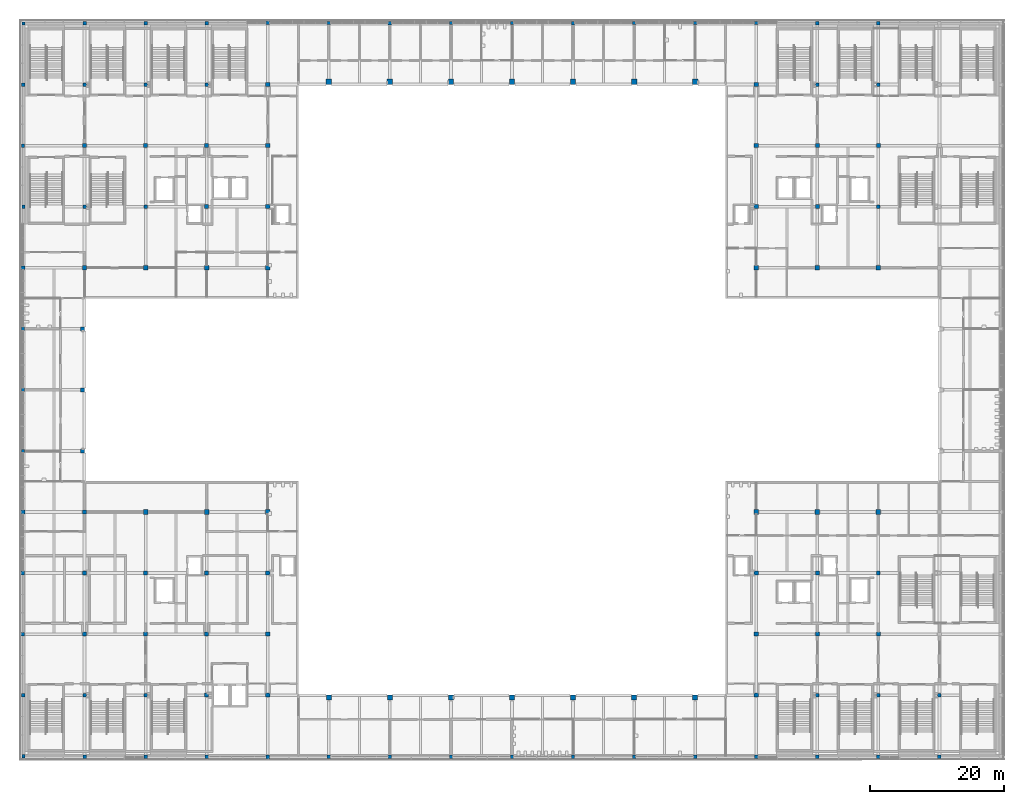
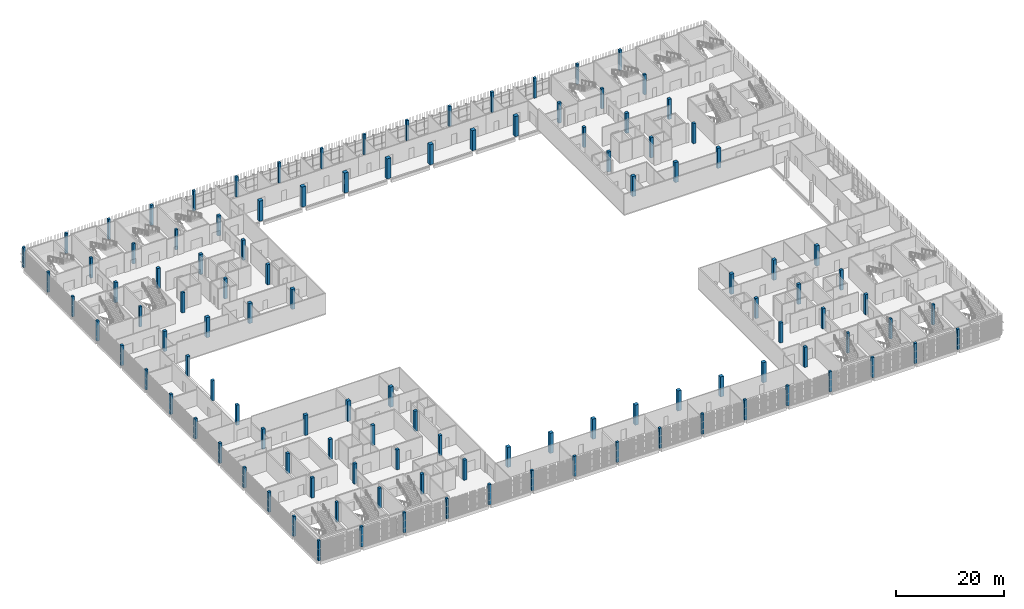
# One storey, part 1 of 124: 116 columns.
"""IFC4 building model written with IfcOpenShell, lengths in metres."""

from ifc_helpers import new_model, si_unit, direction, frame, origin, origin_2d, place, context, subcontext, project, spatial, rectangle, extrude, material, material_profile, profile_set, type_object, element, save


model = new_model("IFC4")

# Units and contexts
model_context = context("Model", 3, precision=1e-05, world=origin(), true_north=direction((0.0, 1.0)))
body_context = subcontext(model_context, "Body", "Model", "MODEL_VIEW")
ifc_project = project(units=[si_unit("LENGTHUNIT", "METRE"), si_unit("AREAUNIT", "SQUARE_METRE"), si_unit("VOLUMEUNIT", "CUBIC_METRE"), si_unit("PLANEANGLEUNIT", "RADIAN"), si_unit("MASSUNIT", "GRAM", prefix="KILO")], contexts=[model_context])

# Site, building, storey
site_placement = place(None, origin())
site = spatial("IfcSite", under=ifc_project, at=site_placement, CompositionType="ELEMENT")
building_placement = place(site_placement, origin())
building = spatial("IfcBuilding", under=site, at=building_placement, Name="Shirokan Park Arena", CompositionType="ELEMENT")
storey_placement = place(building_placement, frame((0.0, 0.0, 20.02001953125)))
storey = spatial("IfcBuildingStorey", under=building, at=storey_placement, Name="L04", CompositionType="ELEMENT", Elevation=20.02001953125)

# Columns
ifc_material = material(Name="Concrete C35", Category="concrete")
ifc_material_profile_1 = material_profile(ifc_material, rectangle(XDim=0.5, YDim=0.5, at=origin_2d()), Name="500x500")
ifc_profile_set_1 = profile_set([ifc_material_profile_1], Name="Concrete C35")
column_type_1 = type_object("IfcColumnType", Name="RC column 500x500", PredefinedType="COLUMN", material=ifc_profile_set_1)
for number, where, z_axis, x_axis, name in (
    (1, (0.0, 0.0, 0.0), (0.0, 0.0, 1.0), (1.0, 0.0, 0.0), "Column 1A L04"),
    (2, (-0.050048828125, 9.10009765625, 0.0), (0.0, 0.0, 1.0), (1.0, 0.0, 0.0), "Column 1B L04"),
    (3, (-0.074951171875, 45.5, 0.0), (0.0, 0.0, 1.0), (1.0, 0.0, 0.0), "Column 1F L04"),
    (4, (-0.074951171875, 54.60009765625, 0.0), (0.0, 0.0, 1.0), (1.0, 0.0, 0.0), "Column 1G L04"),
    (5, (-0.074951171875, 63.699951171875, 0.0), (0.0, 0.0, 1.0), (1.0, 0.0, 0.0), "Column 1H L04"),
    (6, (0.0, 81.89990234375, 0.0), (0.0, 0.0, 1.0), (1.0, 0.0, 0.0), "Column 1K L04"),
    (7, (-0.074951171875, 91.0, 0.0), (0.0, 0.0, 1.0), (1.0, 0.0, 0.0), "Column 1L L04"),
    (8, (-0.02490234375, 100.10009765625, 0.0), (0.0, 0.0, 1.0), (1.0, 0.0, 0.0), "Column 1M L04"),
    (9, (0.0, 109.199951171875, 0.0), (0.0, 0.0, 1.0), (1.0, 0.0, 0.0), "Column 1N L04"),
    (10, (9.10009765625, -0.050048828125, 0.0), (0.0, 0.0, 1.0), (1.0, 0.0, 0.0), "Column 2A L04"),
    (11, (9.10009765625, 9.10009765625, 0.0), (0.0, 0.0, 1.0), (1.0, 0.0, 0.0), "Column 2B L04"),
    (12, (9.10009765625, 81.89990234375, 0.0), (0.0, 0.0, 1.0), (1.0, 0.0, 0.0), "Column 2K L04"),
    (13, (9.10009765625, 100.10009765625, 0.0), (0.0, 0.0, 1.0), (1.0, 0.0, 0.0), "Column 2M L04"),
    (14, (9.10009765625, 109.22509765625, 0.0), (0.0, 0.0, 1.0), (1.0, 0.0, 0.0), "Column 2N L04"),
    (15, (18.199951171875, -0.050048828125, 0.0), (0.0, 0.0, 1.0), (1.0, 0.0, 0.0), "Column 3A L04"),
    (16, (18.199951171875, 9.10009765625, 0.0), (0.0, 0.0, 1.0), (1.0, 0.0, 0.0), "Column 3B L04"),
    (17, (18.199951171875, 100.10009765625, 0.0), (0.0, 0.0, 1.0), (1.0, 0.0, 0.0), "Column 3M L04"),
    (18, (18.199951171875, 109.22509765625, 0.0), (0.0, 0.0, 1.0), (1.0, 0.0, 0.0), "Column 3N L04"),
    (19, (27.300048828125, -0.10009765625, 0.0), (0.0, 0.0, 1.0), (1.0, 0.0, 0.0), "Column 4A L04"),
    (20, (27.300048828125, 100.10009765625, 0.0), (0.0, 0.0, 1.0), (1.0, 0.0, 0.0), "Column 4M L04"),
    (21, (27.300048828125, 109.22509765625, 0.0), (0.0, 0.0, 1.0), (1.0, 0.0, 0.0), "Column 4N L04"),
    (22, (36.39990234375, 109.300048828125, 0.0), (0.0, 0.0, 1.0), (1.0, 0.0, 0.0), "Column 5N L04"),
    (23, (45.5, -0.10009765625, 0.0), (0.0, 0.0, 1.0), (1.0, 0.0, 0.0), "Column 6A L04"),
    (24, (45.5, 109.27490234375, 0.0), (0.0, 0.0, 1.0), (1.0, 0.0, 0.0), "Column 6N L04"),
    (25, (54.60009765625, -0.074951171875, 0.0), (0.0, 0.0, 1.0), (1.0, 0.0, 0.0), "Column 7A L04"),
    (26, (54.60009765625, 109.25, 0.0), (0.0, 0.0, 1.0), (1.0, 0.0, 0.0), "Column 7N L04"),
    (27, (63.699951171875, -0.10009765625, 0.0), (0.0, 0.0, 1.0), (1.0, 0.0, 0.0), "Column 8A L04"),
    (28, (63.699951171875, 109.27490234375, 0.0), (0.0, 0.0, 1.0), (1.0, 0.0, 0.0), "Column 8N L04"),
    (29, (72.800048828125, -0.10009765625, 0.0), (0.0, 0.0, 1.0), (1.0, 0.0, 0.0), "Column 9A L04"),
    (30, (72.800048828125, 109.27490234375, 0.0), (0.0, 0.0, 1.0), (1.0, 0.0, 0.0), "Column 9N L04"),
    (31, (81.89990234375, -0.074951171875, 0.0), (0.0, 0.0, 1.0), (1.0, 0.0, 0.0), "Column 10A L04"),
    (32, (81.89990234375, 109.25, 0.0), (0.0, 0.0, 1.0), (1.0, 0.0, 0.0), "Column 10N L04"),
    (33, (91.0, -0.10009765625, 0.0), (0.0, 0.0, 1.0), (1.0, 0.0, 0.0), "Column 11A L04"),
    (34, (91.0, 109.27490234375, 0.0), (0.0, 0.0, 1.0), (1.0, 0.0, 0.0), "Column 11N L04"),
    (35, (100.10009765625, -0.10009765625, 0.0), (0.0, 0.0, 1.0), (1.0, 0.0, 0.0), "Column 12A L04"),
    (36, (100.10009765625, 109.27490234375, 0.0), (0.0, 0.0, 1.0), (1.0, 0.0, 0.0), "Column 12N L04"),
    (37, (109.199951171875, -0.10009765625, 0.0), (0.0, 0.0, 1.0), (1.0, 0.0, 0.0), "Column 13A L04"),
    (38, (109.199951171875, 109.27490234375, 0.0), (0.0, 0.0, 1.0), (1.0, 0.0, 0.0), "Column 13N L04"),
    (39, (118.300048828125, -0.050048828125, 0.0), (0.0, 0.0, 1.0), (1.0, 0.0, 0.0), "Column 14A L04"),
    (40, (118.300048828125, 9.10009765625, 0.0), (0.0, 0.0, 1.0), (1.0, 0.0, 0.0), "Column 14B L04"),
    (41, (118.300048828125, 100.10009765625, 0.0), (0.0, 0.0, 1.0), (1.0, 0.0, 0.0), "Column 14M L04"),
    (42, (118.300048828125, 109.22509765625, 0.0), (0.0, 0.0, 1.0), (1.0, 0.0, 0.0), "Column 14N L04"),
    (43, (127.39990234375, -0.050048828125, 0.0), (0.0, 0.0, 1.0), (1.0, 0.0, 0.0), "Column 15A L04"),
    (44, (127.39990234375, 9.10009765625, 0.0), (0.0, 0.0, 1.0), (1.0, 0.0, 0.0), "Column 15B L04"),
    (45, (127.39990234375, 100.10009765625, 0.0), (0.0, 0.0, 1.0), (1.0, 0.0, 0.0), "Column 15M L04"),
    (46, (127.39990234375, 109.22509765625, 0.0), (0.0, 0.0, 1.0), (1.0, 0.0, 0.0), "Column 15N L04"),
    (47, (136.5, -0.050048828125, 0.0), (0.0, 0.0, 1.0), (1.0, 0.0, 0.0), "Column 16A L04"),
    (48, (136.5, 9.10009765625, 0.0), (0.0, 0.0, 1.0), (1.0, 0.0, 0.0), "Column 16B L04"),
):
    element("IfcColumn", number, at=place(storey_placement, frame(where, z_axis=z_axis, x_axis=x_axis)), inside=storey, type_object=column_type_1, Name=name, PredefinedType="COLUMN", context=body_context, shape_type="SweptSolid", body=[
        extrude(rectangle(XDim=0.5, YDim=0.5, at=origin_2d()), origin(), (0.0, 0.0, 1.0), 4.550048828125),
    ])
ifc_material_profile_2 = material_profile(ifc_material, rectangle(XDim=0.550048828125, YDim=0.550048828125, at=origin_2d()), Name="550x550")
ifc_profile_set_2 = profile_set([ifc_material_profile_2], Name="Concrete C35")
column_type_2 = type_object("IfcColumnType", Name="RC column 550x550", PredefinedType="COLUMN", material=ifc_profile_set_2)
for number, where, z_axis, x_axis, name in (
    (49, (-0.10009765625, 18.199951171875, 0.0), (0.0, 0.0, 1.0), (1.0, 0.0, 0.0), "Column 1C L04"),
    (50, (-0.10009765625, 27.300048828125, 0.0), (0.0, 0.0, 1.0), (1.0, 0.0, 0.0), "Column 1D L04"),
    (51, (-0.074951171875, 36.39990234375, 0.0), (0.0, 0.0, 1.0), (1.0, 0.0, 0.0), "Column 1E L04"),
    (52, (-0.074951171875, 72.800048828125, 0.0), (0.0, 0.0, 1.0), (1.0, 0.0, 0.0), "Column 1J L04"),
    (53, (18.199951171875, 81.89990234375, 0.0), (0.0, 0.0, 1.0), (1.0, 0.0, 0.0), "Column 3K L04"),
    (54, (36.39990234375, -0.10009765625, 0.0), (0.0, 0.0, 1.0), (1.0, 0.0, 0.0), "Column 5A L04"),
    (55, (127.39990234375, 27.300048828125, 0.0), (0.0, 0.0, 1.0), (1.0, 0.0, 0.0), "Column 15D L04"),
    (56, (127.39990234375, 81.89990234375, 0.0), (0.0, 0.0, 1.0), (1.0, 0.0, 0.0), "Column 15K L04"),
):
    element("IfcColumn", number, at=place(storey_placement, frame(where, z_axis=z_axis, x_axis=x_axis)), inside=storey, type_object=column_type_2, Name=name, PredefinedType="COLUMN", context=body_context, shape_type="SweptSolid", body=[
        extrude(rectangle(XDim=0.550048828125, YDim=0.550048828125, at=origin_2d()), origin(), (0.0, 0.0, 1.0), 4.550048828125),
    ])
ifc_material_profile_3 = material_profile(ifc_material, rectangle(XDim=0.60009765625, YDim=0.60009765625, at=origin_2d()), Name="600x600")
ifc_profile_set_3 = profile_set([ifc_material_profile_3], Name="Concrete C35")
column_type_3 = type_object("IfcColumnType", Name="RC column 600x600", PredefinedType="COLUMN", material=ifc_profile_set_3)
for number, where, z_axis, x_axis, name in (
    (57, (9.10009765625, 18.199951171875, 0.0), (0.0, 0.0, 1.0), (1.0, 0.0, 0.0), "Column 2C L04"),
    (58, (9.10009765625, 27.300048828125, 0.0), (0.0, 0.0, 1.0), (1.0, 0.0, 0.0), "Column 2D L04"),
    (59, (9.10009765625, 36.39990234375, 0.0), (0.0, 0.0, 1.0), (1.0, 0.0, 0.0), "Column 2E L04"),
    (60, (8.800048828125, 45.5, 0.0), (0.0, 0.0, 1.0), (1.0, 0.0, 0.0), "Column 2F L04"),
    (61, (8.800048828125, 54.60009765625, 0.0), (0.0, 0.0, 1.0), (1.0, 0.0, 0.0), "Column 2G L04"),
    (62, (8.800048828125, 63.699951171875, 0.0), (0.0, 0.0, 1.0), (1.0, 0.0, 0.0), "Column 2H L04"),
    (63, (9.10009765625, 72.800048828125, 0.0), (0.0, 0.0, 1.0), (1.0, 0.0, 0.0), "Column 2J L04"),
    (64, (9.10009765625, 91.0, 0.0), (0.0, 0.0, 1.0), (1.0, 0.0, 0.0), "Column 2L L04"),
    (65, (18.199951171875, 18.199951171875, 0.0), (0.0, 0.0, 1.0), (1.0, 0.0, 0.0), "Column 3C L04"),
    (66, (18.199951171875, 27.300048828125, 0.0), (0.0, 0.0, 1.0), (1.0, 0.0, 0.0), "Column 3D L04"),
    (67, (18.199951171875, 91.0, 0.0), (0.0, 0.0, 1.0), (1.0, 0.0, 0.0), "Column 3L L04"),
    (68, (27.300048828125, 9.10009765625, 0.0), (0.0, 0.0, 1.0), (1.0, 0.0, 0.0), "Column 4B L04"),
    (69, (27.300048828125, 18.199951171875, 0.0), (0.0, 0.0, 1.0), (1.0, 0.0, 0.0), "Column 4C L04"),
    (70, (27.300048828125, 27.300048828125, 0.0), (0.0, 0.0, 1.0), (1.0, 0.0, 0.0), "Column 4D L04"),
    (71, (27.300048828125, 81.89990234375, 0.0), (0.0, 0.0, 1.0), (1.0, 0.0, 0.0), "Column 4K L04"),
    (72, (27.300048828125, 91.0, 0.0), (0.0, 0.0, 1.0), (1.0, 0.0, 0.0), "Column 4L L04"),
    (73, (36.39990234375, 9.10009765625, 0.0), (0.0, 0.0, 1.0), (1.0, 0.0, 0.0), "Column 5B L04"),
    (74, (36.39990234375, 18.199951171875, 0.0), (0.0, 0.0, 1.0), (1.0, 0.0, 0.0), "Column 5C L04"),
    (75, (36.39990234375, 27.300048828125, 0.0), (0.0, 0.0, 1.0), (1.0, 0.0, 0.0), "Column 5D L04"),
    (76, (36.39990234375, 81.89990234375, 0.0), (0.0, 0.0, 1.0), (1.0, 0.0, 0.0), "Column 5K L04"),
    (77, (36.39990234375, 91.0, 0.0), (0.0, 0.0, 1.0), (1.0, 0.0, 0.0), "Column 5L L04"),
    (78, (36.39990234375, 100.10009765625, 0.0), (0.0, 0.0, 1.0), (1.0, 0.0, 0.0), "Column 5M L04"),
    (79, (109.199951171875, 9.10009765625, 0.0), (0.0, 0.0, 1.0), (1.0, 0.0, 0.0), "Column 13B L04"),
    (80, (109.199951171875, 18.199951171875, 0.0), (0.0, 0.0, 1.0), (1.0, 0.0, 0.0), "Column 13C L04"),
    (81, (109.199951171875, 27.300048828125, 0.0), (0.0, 0.0, 1.0), (1.0, 0.0, 0.0), "Column 13D L04"),
    (82, (109.199951171875, 81.89990234375, 0.0), (0.0, 0.0, 1.0), (1.0, 0.0, 0.0), "Column 13K L04"),
    (83, (109.199951171875, 91.0, 0.0), (0.0, 0.0, 1.0), (1.0, 0.0, 0.0), "Column 13L L04"),
    (84, (109.199951171875, 100.10009765625, 0.0), (0.0, 0.0, 1.0), (1.0, 0.0, 0.0), "Column 13M L04"),
    (85, (118.300048828125, 18.199951171875, 0.0), (0.0, 0.0, 1.0), (1.0, 0.0, 0.0), "Column 14C L04"),
    (86, (118.300048828125, 27.300048828125, 0.0), (0.0, 0.0, 1.0), (1.0, 0.0, 0.0), "Column 14D L04"),
    (87, (118.300048828125, 81.89990234375, 0.0), (0.0, 0.0, 1.0), (1.0, 0.0, 0.0), "Column 14K L04"),
    (88, (118.300048828125, 91.0, 0.0), (0.0, 0.0, 1.0), (1.0, 0.0, 0.0), "Column 14L L04"),
    (89, (127.39990234375, 18.199951171875, 0.0), (0.0, 0.0, 1.0), (1.0, 0.0, 0.0), "Column 15C L04"),
    (90, (127.39990234375, 91.0, 0.0), (0.0, 0.0, 1.0), (1.0, 0.0, 0.0), "Column 15L L04"),
):
    element("IfcColumn", number, at=place(storey_placement, frame(where, z_axis=z_axis, x_axis=x_axis)), inside=storey, type_object=column_type_3, Name=name, PredefinedType="COLUMN", context=body_context, shape_type="SweptSolid", body=[
        extrude(rectangle(XDim=0.60009765625, YDim=0.60009765625, at=origin_2d()), origin(), (0.0, 0.0, 1.0), 4.550048828125),
    ])
ifc_material_profile_4 = material_profile(ifc_material, rectangle(XDim=0.699951171875, YDim=0.699951171875, at=origin_2d()), Name="700x700")
ifc_profile_set_4 = profile_set([ifc_material_profile_4], Name="Concrete C35")
column_type_4 = type_object("IfcColumnType", Name="RC column 700x700", PredefinedType="COLUMN", material=ifc_profile_set_4)
for number, where, z_axis, x_axis, name in (
    (91, (18.199951171875, 36.39990234375, 0.0), (0.0, 0.0, 1.0), (1.0, 0.0, 0.0), "Column 3E L04"),
    (92, (18.199951171875, 72.800048828125, 0.0), (0.0, 0.0, 1.0), (1.0, 0.0, 0.0), "Column 3J L04"),
    (93, (27.300048828125, 36.39990234375, 0.0), (0.0, 0.0, 1.0), (1.0, 0.0, 0.0), "Column 4E L04"),
    (94, (27.300048828125, 72.800048828125, 0.0), (0.0, 0.0, 1.0), (1.0, 0.0, 0.0), "Column 4J L04"),
    (95, (36.39990234375, 36.39990234375, 0.0), (0.0, 0.0, 1.0), (1.0, 0.0, 0.0), "Column 5E L04"),
    (96, (36.39990234375, 72.800048828125, 0.0), (0.0, 0.0, 1.0), (1.0, 0.0, 0.0), "Column 5J L04"),
    (97, (109.199951171875, 36.39990234375, 0.0), (0.0, 0.0, 1.0), (1.0, 0.0, 0.0), "Column 13E L04"),
    (98, (109.199951171875, 72.800048828125, 0.0), (0.0, 0.0, 1.0), (1.0, 0.0, 0.0), "Column 13J L04"),
    (99, (118.300048828125, 36.39990234375, 0.0), (0.0, 0.0, 1.0), (1.0, 0.0, 0.0), "Column 14E L04"),
    (100, (118.300048828125, 72.800048828125, 0.0), (0.0, 0.0, 1.0), (1.0, 0.0, 0.0), "Column 14J L04"),
    (101, (127.39990234375, 36.39990234375, 0.0), (0.0, 0.0, 1.0), (1.0, 0.0, 0.0), "Column 15E L04"),
    (102, (127.39990234375, 72.800048828125, 0.0), (0.0, 0.0, 1.0), (1.0, 0.0, 0.0), "Column 15J L04"),
):
    element("IfcColumn", number, at=place(storey_placement, frame(where, z_axis=z_axis, x_axis=x_axis)), inside=storey, type_object=column_type_4, Name=name, PredefinedType="COLUMN", context=body_context, shape_type="SweptSolid", body=[
        extrude(rectangle(XDim=0.699951171875, YDim=0.699951171875, at=origin_2d()), origin(), (0.0, 0.0, 1.0), 4.550048828125),
    ])
ifc_material_profile_5 = material_profile(ifc_material, rectangle(XDim=0.75, YDim=0.75, at=origin_2d()), Name="750x750")
ifc_profile_set_5 = profile_set([ifc_material_profile_5], Name="Concrete C35")
column_type_5 = type_object("IfcColumnType", Name="RC column 750x750", PredefinedType="COLUMN", material=ifc_profile_set_5)
for number, where, z_axis, x_axis, name in (
    (103, (45.5, 8.72509765625, 0.0), (0.0, 0.0, 1.0), (1.0, 0.0, 0.0), "Column 6B L04"),
    (104, (54.60009765625, 8.72509765625, 0.0), (0.0, 0.0, 1.0), (1.0, 0.0, 0.0), "Column 7B L04"),
    (105, (63.699951171875, 8.72509765625, 0.0), (0.0, 0.0, 1.0), (1.0, 0.0, 0.0), "Column 8B L04"),
    (106, (72.800048828125, 8.72509765625, 0.0), (0.0, 0.0, 1.0), (1.0, 0.0, 0.0), "Column 9B L04"),
    (107, (81.89990234375, 8.72509765625, 0.0), (0.0, 0.0, 1.0), (1.0, 0.0, 0.0), "Column 10B L04"),
    (108, (91.0, 8.72509765625, 0.0), (0.0, 0.0, 1.0), (1.0, 0.0, 0.0), "Column 11B L04"),
    (109, (100.10009765625, 8.72509765625, 0.0), (0.0, 0.0, 1.0), (1.0, 0.0, 0.0), "Column 12B L04"),
):
    element("IfcColumn", number, at=place(storey_placement, frame(where, z_axis=z_axis, x_axis=x_axis)), inside=storey, type_object=column_type_5, Name=name, PredefinedType="COLUMN", context=body_context, shape_type="SweptSolid", body=[
        extrude(rectangle(XDim=0.75, YDim=0.75, at=origin_2d()), origin(), (0.0, 0.0, 1.0), 4.550048828125),
    ])
ifc_material_profile_6 = material_profile(ifc_material, rectangle(XDim=0.800048828125, YDim=0.800048828125, at=origin_2d()), Name="800x800")
ifc_profile_set_6 = profile_set([ifc_material_profile_6], Name="Concrete C35")
column_type_6 = type_object("IfcColumnType", Name="RC column 800x800", PredefinedType="COLUMN", material=ifc_profile_set_6)
for number, where, z_axis, x_axis, name in (
    (110, (45.5, 100.5, 0.0), (0.0, 0.0, 1.0), (1.0, 0.0, 0.0), "Column 6M L04"),
    (111, (54.60009765625, 100.5, 0.0), (0.0, 0.0, 1.0), (1.0, 0.0, 0.0), "Column 7M L04"),
    (112, (63.699951171875, 100.5, 0.0), (0.0, 0.0, 1.0), (1.0, 0.0, 0.0), "Column 8M L04"),
    (113, (72.800048828125, 100.5, 0.0), (0.0, 0.0, 1.0), (1.0, 0.0, 0.0), "Column 9M L04"),
    (114, (81.89990234375, 100.5, 0.0), (0.0, 0.0, 1.0), (1.0, 0.0, 0.0), "Column 10M L04"),
    (115, (91.0, 100.5, 0.0), (0.0, 0.0, 1.0), (1.0, 0.0, 0.0), "Column 11M L04"),
    (116, (100.10009765625, 100.5, 0.0), (0.0, 0.0, 1.0), (1.0, 0.0, 0.0), "Column 12M L04"),
):
    element("IfcColumn", number, at=place(storey_placement, frame(where, z_axis=z_axis, x_axis=x_axis)), inside=storey, type_object=column_type_6, Name=name, PredefinedType="COLUMN", context=body_context, shape_type="SweptSolid", body=[
        extrude(rectangle(XDim=0.800048828125, YDim=0.800048828125, at=origin_2d()), origin(), (0.0, 0.0, 1.0), 4.550048828125),
    ])

save(model, "model.ifc")
